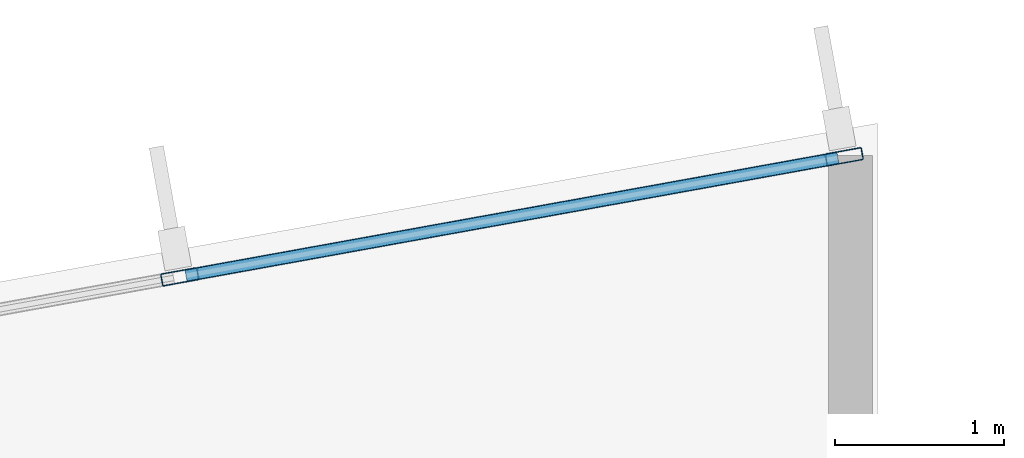
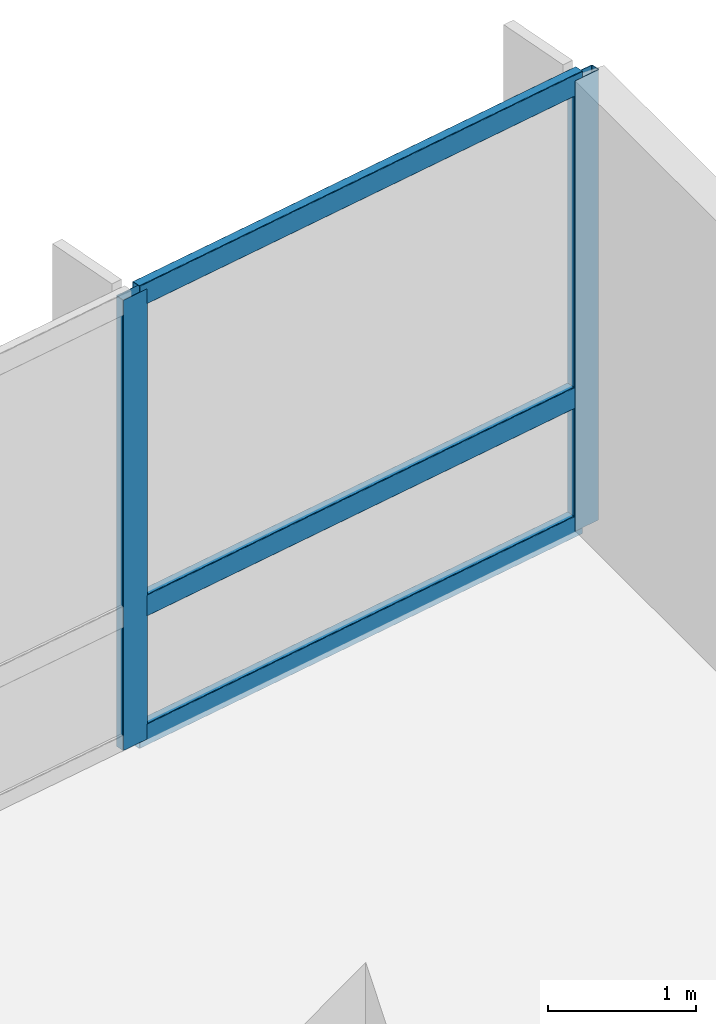
# One storey, part 10 of 21: 5 members, 1 element without a shape of its own.
"""IFC4 building model written with IfcOpenShell, lengths in metres."""

from ifc_helpers import new_model, si_unit, direction, frame, origin, origin_2d, place, context, subcontext, project, spatial, hollow_rectangle, extrude, material, layer, layer_set, material_profile, profile_set, type_object, element, aggregate, save


model = new_model("IFC4")

# Units and contexts
model_context = context("Model", 3, precision=1e-05, world=origin(), true_north=direction((0.0, 1.0)))
body_context = subcontext(model_context, "Body", "Model", "MODEL_VIEW")
ifc_project = project(units=[si_unit("LENGTHUNIT", "METRE"), si_unit("AREAUNIT", "SQUARE_METRE"), si_unit("VOLUMEUNIT", "CUBIC_METRE"), si_unit("PLANEANGLEUNIT", "RADIAN"), si_unit("MASSUNIT", "GRAM", prefix="KILO")], contexts=[model_context])

# Site, building, storey
site_placement = place(None, origin())
site = spatial("IfcSite", under=ifc_project, at=site_placement, CompositionType="ELEMENT")
building_placement = place(site_placement, origin())
building = spatial("IfcBuilding", under=site, at=building_placement, Name="Varnakote Quay Hospital", CompositionType="ELEMENT")
storey_placement = place(building_placement, frame((0.0, 0.0, 38.300048828125)))
storey = spatial("IfcBuildingStorey", under=building, at=storey_placement, Name="L09", CompositionType="ELEMENT", Elevation=38.300048828125)

# Curtain wall, members
ifc_material_1 = material(Name="Anodised aluminium 6063-T6 Bronze", Category="aluminium")
ifc_layer = layer(ifc_material_1, 0.18994140625)
ifc_layer_set = layer_set([ifc_layer], Name="Anodised aluminium 6063-T6 Bronze")
curtain_wall_type = type_object("IfcCurtainWallType", Name="CW-SYS-2", PredefinedType="NOTDEFINED", material=ifc_layer_set)
curtain_wall_placement = place(storey_placement, origin())
curtain_wall = element("IfcCurtainWall", 1, at=curtain_wall_placement, inside=storey, type_object=curtain_wall_type, Name="L09 Unitised Bronze Curtain Wall 2", PredefinedType="NOTDEFINED")
ifc_material_2 = material(Name="Anodised aluminium 6063-T6 Bronze", Category="aluminium")
ifc_material_profile_1 = material_profile(ifc_material_2, hollow_rectangle(XDim=0.074951171875, YDim=0.219970703125, WallThickness=0.00439453125, InnerFilletRadius=0.00439453125, OuterFilletRadius=0.009033203125, at=origin_2d()), Name="CW-MULL-220x75")
ifc_profile_set_1 = profile_set([ifc_material_profile_1], Name="Anodised aluminium 6063-T6 Bronze")
member_type_1 = type_object("IfcMemberType", Name="CW-MULL-220x75", PredefinedType="MULLION", material=ifc_profile_set_1)
member_1_placement = place(storey_placement, frame((55.403076171875, 34.201904296875, 0.0), z_axis=(0.0, 0.0, 1.0), x_axis=(0.177846199098, -0.984058295766, 0.0)))
member_1 = element("IfcMember", 2, at=member_1_placement, type_object=member_type_1, Name="-2-L09-2 mullion 1", PredefinedType="MULLION", context=body_context, shape_type="SweptSolid", body=[
    extrude(hollow_rectangle(XDim=0.074951171875, YDim=0.219970703125, WallThickness=0.00439453125, InnerFilletRadius=0.00439453125, OuterFilletRadius=0.009033203125, at=origin_2d()), origin(), (0.0, 0.0, 1.0), 3.7099609375),
])
member_2_placement = place(storey_placement, frame((51.477294921875, 33.492431640625, 0.0), z_axis=(0.0, 0.0, 1.0), x_axis=(0.177846199098, -0.984058295766, 0.0)))
member_2 = element("IfcMember", 3, at=member_2_placement, type_object=member_type_1, Name="-2-L09-2 mullion 2", PredefinedType="MULLION", context=body_context, shape_type="SweptSolid", body=[
    extrude(hollow_rectangle(XDim=0.074951171875, YDim=0.219970703125, WallThickness=0.00439453125, InnerFilletRadius=0.00439453125, OuterFilletRadius=0.009033203125, at=origin_2d()), origin(), (0.0, 0.0, 1.0), 3.7099609375),
])
ifc_material_3 = material(Name="Anodised aluminium 6063-T6 Bronze", Category="aluminium")
ifc_material_profile_2 = material_profile(ifc_material_3, hollow_rectangle(XDim=0.074951171875, YDim=0.179931640625, WallThickness=0.004150390625, InnerFilletRadius=0.004150390625, OuterFilletRadius=0.00830078125, at=origin_2d()), Name="CW-TRAN-180x75")
ifc_profile_set_2 = profile_set([ifc_material_profile_2], Name="Anodised aluminium 6063-T6 Bronze")
member_type_2 = type_object("IfcMemberType", Name="CW-TRAN-180x75", PredefinedType="USERDEFINED", material=ifc_profile_set_2)
member_3_placement = place(storey_placement, frame((55.3662109375, 34.195068359375, 0.037353515625), z_axis=(-0.984061948229, -0.177825988109, 0.0), x_axis=(0.177825988109, -0.984061948229, 0.0)))
member_3 = element("IfcMember", 4, at=member_3_placement, type_object=member_type_2, Name="-2-L09-2 transom 1.1", ObjectType="TRANSOM", PredefinedType="USERDEFINED", context=body_context, shape_type="SweptSolid", body=[
    extrude(hollow_rectangle(XDim=0.074951171875, YDim=0.179931640625, WallThickness=0.004150390625, InnerFilletRadius=0.004150390625, OuterFilletRadius=0.00830078125, at=origin_2d()), origin(), (0.0, 0.0, 1.0), 3.914306640625),
])
member_4_placement = place(storey_placement, frame((55.3662109375, 34.195068359375, 1.099853515625), z_axis=(-0.984061948229, -0.177825988109, 0.0), x_axis=(0.177825988109, -0.984061948229, 0.0)))
member_4 = element("IfcMember", 5, at=member_4_placement, type_object=member_type_2, Name="-2-L09-2 transom 1.2", ObjectType="TRANSOM", PredefinedType="USERDEFINED", context=body_context, shape_type="SweptSolid", body=[
    extrude(hollow_rectangle(XDim=0.074951171875, YDim=0.179931640625, WallThickness=0.004150390625, InnerFilletRadius=0.004150390625, OuterFilletRadius=0.00830078125, at=origin_2d()), origin(), (0.0, 0.0, 1.0), 3.914306640625),
])
member_5_placement = place(storey_placement, frame((55.3662109375, 34.195068359375, 3.67236328125), z_axis=(-0.984061948229, -0.177825988109, 0.0), x_axis=(0.177825988109, -0.984061948229, 0.0)))
member_5 = element("IfcMember", 6, at=member_5_placement, type_object=member_type_2, Name="-2-L09-2 transom 1.3", ObjectType="TRANSOM", PredefinedType="USERDEFINED", context=body_context, shape_type="SweptSolid", body=[
    extrude(hollow_rectangle(XDim=0.074951171875, YDim=0.179931640625, WallThickness=0.004150390625, InnerFilletRadius=0.004150390625, OuterFilletRadius=0.00830078125, at=origin_2d()), origin(), (0.0, 0.0, 1.0), 3.914306640625),
])
aggregate(curtain_wall, [member_1, member_2, member_3, member_4, member_5])

save(model, "model.ifc")
